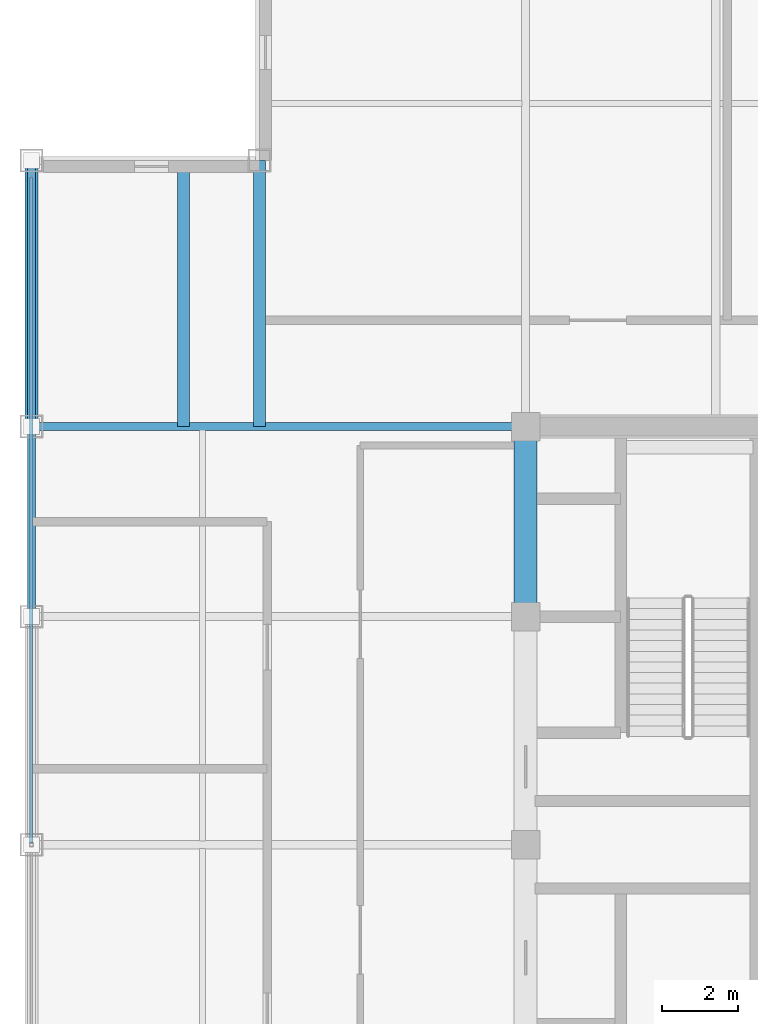
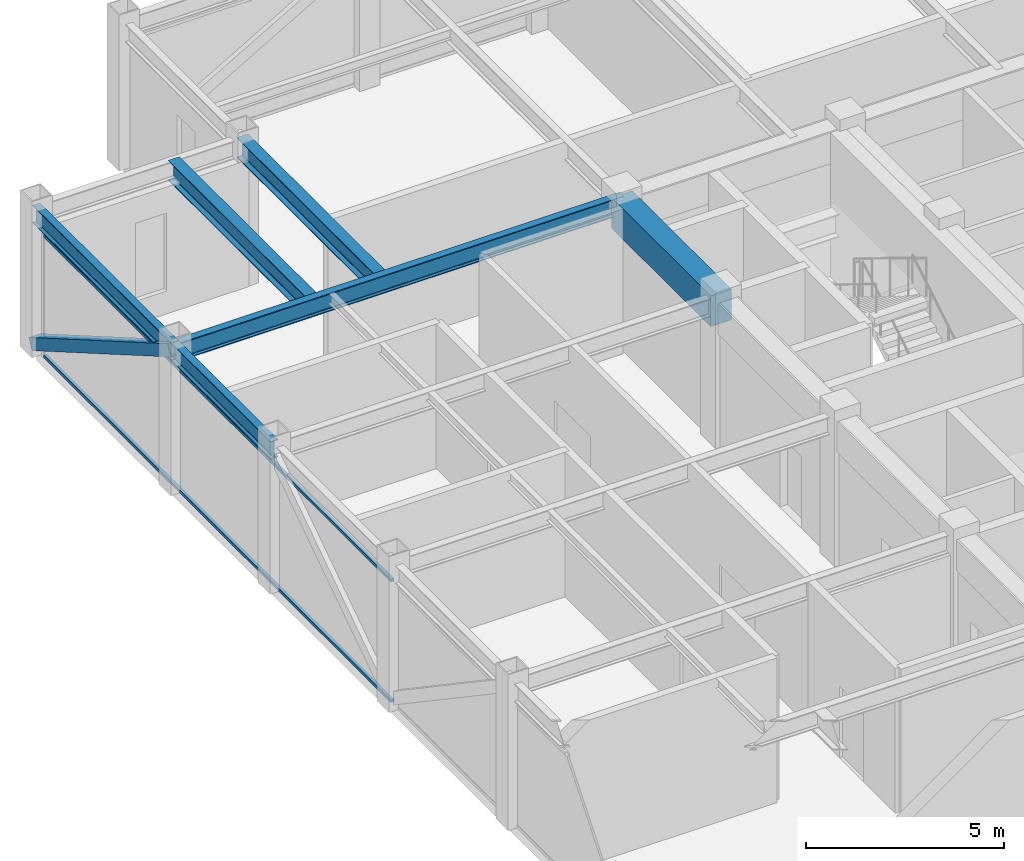
# One storey, part 13 of 27: 6 beams, 3 members, 1 element without a shape of its own.
"""IFC4 building model written with IfcOpenShell, lengths in metres."""

from ifc_helpers import new_model, si_unit, direction, frame, origin, origin_2d, place, context, subcontext, project, spatial, rectangle, hollow_rectangle, i_section, extrude, source, transform, mapped, material, material_profile, profile_set, type_object, element, aggregate, save


model = new_model("IFC4")

# Units and contexts
model_context = context("Model", 3, precision=1e-05, world=origin(), true_north=direction((0.0, 1.0)))
body_context = subcontext(model_context, "Body", "Model", "MODEL_VIEW")
ifc_project = project(units=[si_unit("LENGTHUNIT", "METRE"), si_unit("AREAUNIT", "SQUARE_METRE"), si_unit("VOLUMEUNIT", "CUBIC_METRE"), si_unit("PLANEANGLEUNIT", "RADIAN"), si_unit("MASSUNIT", "GRAM", prefix="KILO")], contexts=[model_context])

# Site, building, storey
site_placement = place(None, origin())
site = spatial("IfcSite", under=ifc_project, at=site_placement, CompositionType="ELEMENT")
building_placement = place(site_placement, origin())
building = spatial("IfcBuilding", under=site, at=building_placement, Name="Khorayat Bourse Tower", CompositionType="ELEMENT")
storey_placement = place(building_placement, frame((0.0, 0.0, 380.300048828125)))
storey = spatial("IfcBuildingStorey", under=building, at=storey_placement, Name="L90", CompositionType="ELEMENT", Elevation=380.300048828125)

# Beams
ifc_material_1 = material(Name="Concrete C60/75", Category="concrete")
ifc_material_profile_1 = material_profile(ifc_material_1, rectangle(XDim=0.60009765625, YDim=0.949951171875, at=origin_2d()), Name="RC 600x950")
ifc_profile_set_1 = profile_set([ifc_material_profile_1], Name="Concrete C60/75")
beam_type_1 = type_object("IfcBeamType", Name="BM-COUP-950", PredefinedType="BEAM", material=ifc_profile_set_1)
shared_shape_1 = source(origin(), body_context, "Body", "SweptSolid", [
    extrude(rectangle(XDim=0.60009765625, YDim=0.949951171875, at=origin_2d()), origin(), (0.0, 0.0, 1.0), 5.0),
])
beam_1_placement = place(storey_placement, frame((-11.0, 6.0, 3.974853515625), z_axis=(0.0, 1.0, 0.0), x_axis=(-1.0, 0.0, 0.0)))
element("IfcBeam", 1, at=beam_1_placement, inside=storey, type_object=beam_type_1, Name="L90 BM-COUP-950 BM-L90-CRX-04", PredefinedType="BEAM", context=body_context, shape_type="MappedRepresentation", body=[
    mapped(shared_shape_1, transform((0.0, 0.0, 0.0), scale=1.0)),
])
ifc_material_2 = material(Name="Steel ASTM A992 Grade 50", Category="steel")
ifc_material_profile_2 = material_profile(ifc_material_2, i_section(OverallWidth=0.214111328125, OverallDepth=0.549072265625, WebThickness=0.0146484375, FlangeThickness=0.023681640625, FilletRadius=0.013916015625, at=origin_2d()), Name="W530X138")
ifc_profile_set_2 = profile_set([ifc_material_profile_2], Name="Steel ASTM A992 Grade 50")
beam_type_2 = type_object("IfcBeamType", Name="BM-SPAN-530", PredefinedType="SPANDREL", material=ifc_profile_set_2)
shared_shape_2 = source(origin(), body_context, "Body", "SweptSolid", [
    extrude(i_section(OverallWidth=0.214111328125, OverallDepth=0.549072265625, WebThickness=0.0146484375, FlangeThickness=0.023681640625, FilletRadius=0.013916015625, at=origin_2d()), origin(), (0.0, 0.0, 1.0), 5.0),
])
beam_2_placement = place(storey_placement, frame((-24.0, 6.0, 4.175537109375), z_axis=(0.0, 1.0, 0.0), x_axis=(-1.0, 0.0, 0.0)))
element("IfcBeam", 2, at=beam_2_placement, inside=storey, type_object=beam_type_2, Name="L90 BM-SPAN-530 BM-L90-SPN-049", PredefinedType="SPANDREL", context=body_context, shape_type="MappedRepresentation", body=[
    mapped(shared_shape_2, transform((0.0, 0.0, 0.0), scale=1.0)),
])
shared_shape_3 = source(origin(), body_context, "Body", "SweptSolid", [
    extrude(i_section(OverallWidth=0.214111328125, OverallDepth=0.549072265625, WebThickness=0.0146484375, FlangeThickness=0.023681640625, FilletRadius=0.013916015625, at=origin_2d()), origin(), (0.0, 0.0, 1.0), 7.0),
])
beam_3_placement = place(storey_placement, frame((-24.0, 11.0, 4.175537109375), z_axis=(0.0, 1.0, 0.0), x_axis=(-1.0, 0.0, 0.0)))
element("IfcBeam", 3, at=beam_3_placement, inside=storey, type_object=beam_type_2, Name="L90 BM-SPAN-530 BM-L90-SPN-048", PredefinedType="SPANDREL", context=body_context, shape_type="MappedRepresentation", body=[
    mapped(shared_shape_3, transform((0.0, 0.0, 0.0), scale=1.0)),
])
ifc_material_profile_3 = material_profile(ifc_material_2, i_section(OverallWidth=0.214111328125, OverallDepth=0.549072265625, WebThickness=0.0146484375, FlangeThickness=0.023681640625, FilletRadius=0.013916015625, at=origin_2d()), Name="W530X138")
ifc_profile_set_3 = profile_set([ifc_material_profile_3], Name="Steel ASTM A992 Grade 50")
beam_type_3 = type_object("IfcBeamType", Name="BM-GIRD-530", PredefinedType="BEAM", material=ifc_profile_set_3)
shared_shape_4 = source(origin(), body_context, "Body", "SweptSolid", [
    extrude(i_section(OverallWidth=0.214111328125, OverallDepth=0.549072265625, WebThickness=0.0146484375, FlangeThickness=0.023681640625, FilletRadius=0.013916015625, at=origin_2d()), origin(), (0.0, 0.0, 1.0), 13.0),
])
beam_4_placement = place(storey_placement, frame((-24.0, 11.0, 4.175537109375), z_axis=(1.0, 0.0, 0.0), x_axis=(0.0, 1.0, 0.0)))
element("IfcBeam", 4, at=beam_4_placement, inside=storey, type_object=beam_type_3, Name="L90 BM-GIRD-530 BM-L90-RADX-075", PredefinedType="BEAM", context=body_context, shape_type="MappedRepresentation", body=[
    mapped(shared_shape_4, transform((0.0, 0.0, 0.0), scale=1.0)),
])
ifc_material_profile_4 = material_profile(ifc_material_2, i_section(OverallWidth=0.324951171875, OverallDepth=0.615966796875, WebThickness=0.013916015625, FlangeThickness=0.021484375, FilletRadius=0.01611328125, at=origin_2d()), Name="W610X174")
ifc_profile_set_4 = profile_set([ifc_material_profile_4], Name="Steel ASTM A992 Grade 50")
beam_type_4 = type_object("IfcBeamType", Name="BM-GIRD-610", PredefinedType="BEAM", material=ifc_profile_set_4)
shared_shape_5 = source(origin(), body_context, "Body", "SweptSolid", [
    extrude(i_section(OverallWidth=0.324951171875, OverallDepth=0.615966796875, WebThickness=0.013916015625, FlangeThickness=0.021484375, FilletRadius=0.01611328125, at=origin_2d()), origin(), (0.0, 0.0, 1.0), 7.0),
])
for number, where, z_axis, x_axis, name in (
    (5, (-18.0, 11.0, 4.141845703125), (0.0, 1.0, 0.0), (-1.0, 0.0, 0.0), "L90 BM-GIRD-610 BM-L90-CNRY-077"),
    (6, (-20.0, 11.0, 4.141845703125), (0.0, 1.0, 0.0), (-1.0, 0.0, 0.0), "L90 BM-GIRD-610 BM-L90-CNRY-081"),
):
    element("IfcBeam", number, at=place(storey_placement, frame(where, z_axis=z_axis, x_axis=x_axis)), inside=storey, type_object=beam_type_4, Name=name, PredefinedType="BEAM", context=body_context, shape_type="MappedRepresentation", body=[
        mapped(shared_shape_5, transform((0.0, 0.0, 0.0), scale=1.0)),
    ])

# Member
ifc_material_3 = material(Name="Steel EN 10025-2 S355J2", Category="steel")
ifc_material_profile_5 = material_profile(ifc_material_3, hollow_rectangle(XDim=0.35009765625, YDim=0.35009765625, WallThickness=0.02001953125, at=origin_2d()), Name="HSS 350x350x20")
ifc_profile_set_5 = profile_set([ifc_material_profile_5], Name="Steel EN 10025-2 S355J2")
member_type_1 = type_object("IfcMemberType", Name="MBR-CROWN-350", PredefinedType="USERDEFINED", material=ifc_profile_set_5)
shared_shape_6 = source(origin(), body_context, "Body", "SweptSolid", [
    extrude(hollow_rectangle(XDim=0.35009765625, YDim=0.35009765625, WallThickness=0.02001953125, at=origin_2d()), origin(), (0.0, 0.0, 1.0), 8.087158203125),
])
member_1_placement = place(storey_placement, frame((-24.0, 11.0, 4.25), z_axis=(0.0, 0.865564731219, -0.500797060763), x_axis=(-1.0, 0.0, 0.0)))
element("IfcMember", 7, at=member_1_placement, inside=storey, type_object=member_type_1, Name="L90 Lantern Crown Frame Member 12", ObjectType="CROWN FRAME", PredefinedType="USERDEFINED", context=body_context, shape_type="MappedRepresentation", body=[
    mapped(shared_shape_6, transform((0.0, 0.0, 0.0), scale=1.0)),
])

# Curtain wall, members
ifc_material_4 = material(Name="Aluminium EN AW-6063 T6", Category="aluminium")
curtain_wall_type = type_object("IfcCurtainWallType", Name="CW-SYS-07", PredefinedType="NOTDEFINED", material=ifc_material_4)
curtain_wall_placement = place(storey_placement, origin())
curtain_wall = element("IfcCurtainWall", 8, at=curtain_wall_placement, inside=storey, type_object=curtain_wall_type, Name="L90 Curtain Wall CW-L90-W1", PredefinedType="NOTDEFINED")
ifc_material_profile_6 = material_profile(ifc_material_4, hollow_rectangle(XDim=0.090087890625, YDim=0.090087890625, WallThickness=0.00390625, at=origin_2d()), Name="ALU 90x90x4")
ifc_profile_set_6 = profile_set([ifc_material_profile_6], Name="Aluminium EN AW-6063 T6")
member_type_2 = type_object("IfcMemberType", Name="CWT-HORZ-90", PredefinedType="USERDEFINED", material=ifc_profile_set_6)
shared_shape_7 = source(origin(), body_context, "Body", "SweptSolid", [
    extrude(hollow_rectangle(XDim=0.090087890625, YDim=0.090087890625, WallThickness=0.00390625, at=origin_2d()), origin(), (0.0, 0.0, 1.0), 17.5),
])
member_2_placement = place(storey_placement, frame((-24.0, 0.050048828125, 0.044921875), z_axis=(0.0, 1.0, 0.0), x_axis=(-1.0, 0.0, 0.0)))
member_2 = element("IfcMember", 9, at=member_2_placement, type_object=member_type_2, Name="CW-L90-W1 Horizontal Transom 2-1", ObjectType="TRANSOM", PredefinedType="USERDEFINED", context=body_context, shape_type="MappedRepresentation", body=[
    mapped(shared_shape_7, transform((0.0, 0.0, 0.0), scale=1.0)),
])
member_3_placement = place(storey_placement, frame((-24.0, 0.050048828125, 3.7548828125), z_axis=(0.0, 1.0, 0.0), x_axis=(-1.0, 0.0, 0.0)))
member_3 = element("IfcMember", 10, at=member_3_placement, type_object=member_type_2, Name="CW-L90-W1 Horizontal Transom 2-2", ObjectType="TRANSOM", PredefinedType="USERDEFINED", context=body_context, shape_type="MappedRepresentation", body=[
    mapped(shared_shape_7, transform((0.0, 0.0, 0.0), scale=1.0)),
])
aggregate(curtain_wall, [member_2, member_3])

save(model, "model.ifc")
